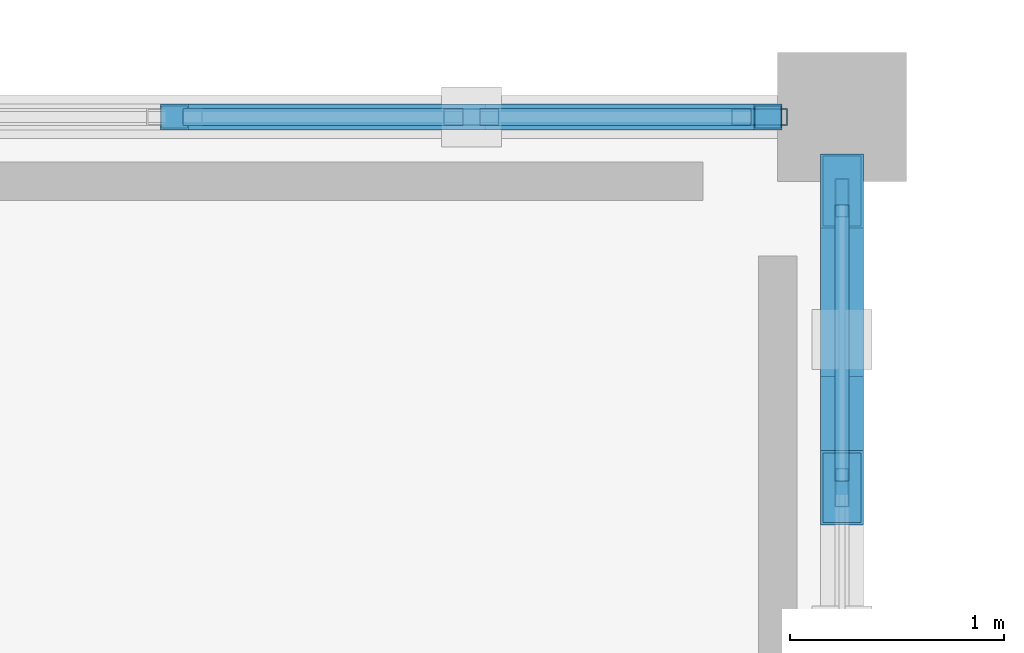
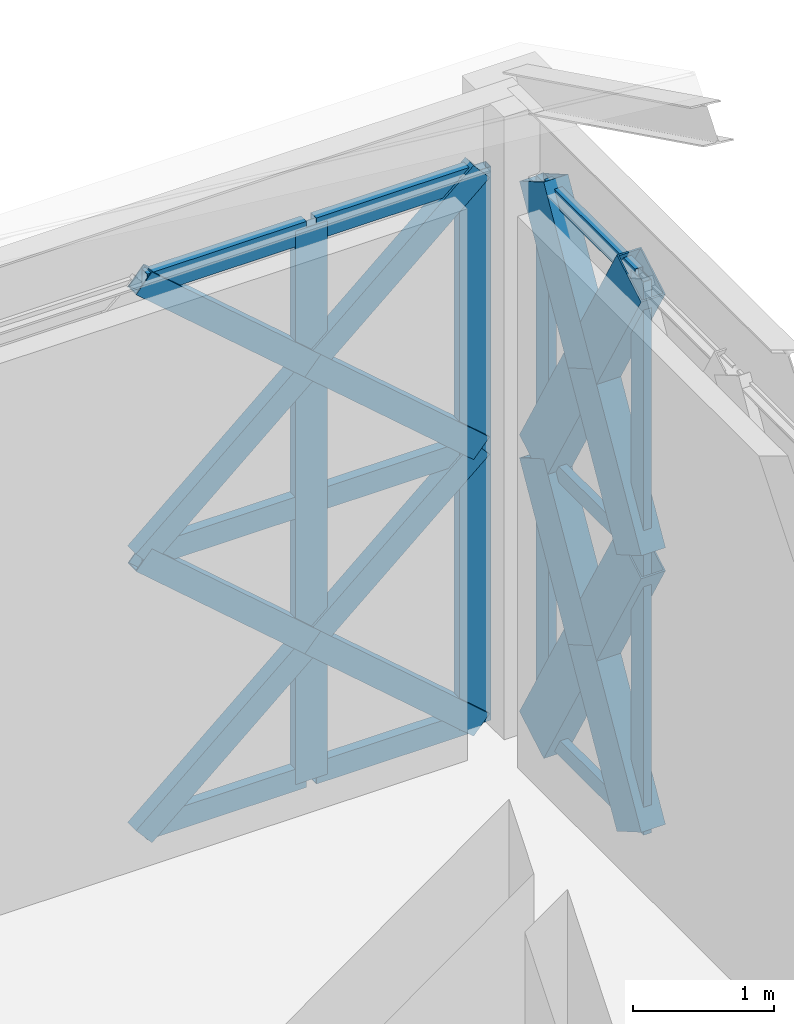
# One storey, part 20 of 32: 25 members, 2 elements without a shape of their own.
"""IFC4 building model written with IfcOpenShell, lengths in metres."""

from ifc_helpers import new_model, si_unit, direction, frame, origin, origin_2d, place, context, subcontext, project, spatial, hollow_rectangle, extrude, material, material_profile, profile_set, type_object, element, aggregate, save


model = new_model("IFC4")

# Units and contexts
model_context = context("Model", 3, precision=1e-05, world=origin(), true_north=direction((0.0, 1.0)))
body_context = subcontext(model_context, "Body", "Model", "MODEL_VIEW")
ifc_project = project(units=[si_unit("LENGTHUNIT", "METRE"), si_unit("AREAUNIT", "SQUARE_METRE"), si_unit("VOLUMEUNIT", "CUBIC_METRE"), si_unit("PLANEANGLEUNIT", "RADIAN"), si_unit("MASSUNIT", "GRAM", prefix="KILO")], contexts=[model_context])

# Site, building, storey
site_placement = place(None, origin())
site = spatial("IfcSite", under=ifc_project, at=site_placement, CompositionType="ELEMENT")
building_placement = place(site_placement, origin())
building = spatial("IfcBuilding", under=site, at=building_placement, Name="Haizhuo Lancet Aquarium", CompositionType="ELEMENT")
storey_placement = place(building_placement, frame((0.0, 0.0, 27.0)))
storey = spatial("IfcBuildingStorey", under=building, at=storey_placement, Name="L05", CompositionType="ELEMENT", Elevation=27.0)

# Curtain wall, members
ifc_material_1 = material(Name="Aluminium 6063-T6", Category="aluminium")
curtain_wall_type_1 = type_object("IfcCurtainWallType", Name="CWD-8310x4800", PredefinedType="NOTDEFINED", material=ifc_material_1)
curtain_wall_1_placement = place(storey_placement, origin())
curtain_wall_1 = element("IfcCurtainWall", 1, at=curtain_wall_1_placement, inside=storey, type_object=curtain_wall_type_1, Name="L05 curtain wall CW-V6-L05-265", PredefinedType="NOTDEFINED")
ifc_material_profile_1 = material_profile(ifc_material_1, hollow_rectangle(XDim=0.06494140625, YDim=0.179931640625, WallThickness=0.00390625, at=origin_2d()), Name="ALU-M 65x180x4")
ifc_profile_set_1 = profile_set([ifc_material_profile_1], Name="Aluminium 6063-T6")
member_type_1 = type_object("IfcMemberType", Name="CW-MUL-1", PredefinedType="MULLION", material=ifc_profile_set_1)
member_1_placement = place(storey_placement, frame((-36.0, -9.3779296875, 0.0), z_axis=(0.0, 0.0, 1.0), x_axis=(1.0, 0.0, 0.0)))
member_1 = element("IfcMember", 2, at=member_1_placement, type_object=member_type_1, Name="CWD-83x48 mullion 1", PredefinedType="MULLION", context=body_context, shape_type="SweptSolid", body=[
    extrude(hollow_rectangle(XDim=0.06494140625, YDim=0.179931640625, WallThickness=0.00390625, at=origin_2d()), origin(), (0.0, 0.0, 1.0), 4.800048828125),
])
member_2_placement = place(storey_placement, frame((-36.0, -10.72998046875, 0.0), z_axis=(0.0, 0.0, 1.0), x_axis=(1.0, 0.0, 0.0)))
member_2 = element("IfcMember", 3, at=member_2_placement, type_object=member_type_1, Name="CWD-83x48 mullion 2", PredefinedType="MULLION", context=body_context, shape_type="SweptSolid", body=[
    extrude(hollow_rectangle(XDim=0.06494140625, YDim=0.179931640625, WallThickness=0.00390625, at=origin_2d()), origin(), (0.0, 0.0, 1.0), 4.800048828125),
])

curtain_wall_type_2 = type_object("IfcCurtainWallType", Name="CWO-8310x4800", PredefinedType="NOTDEFINED", material=ifc_material_1)
curtain_wall_2_placement = place(storey_placement, origin())
curtain_wall_2 = element("IfcCurtainWall", 4, at=curtain_wall_2_placement, inside=storey, type_object=curtain_wall_type_2, Name="L05 curtain wall CW-V6-L05-264", PredefinedType="NOTDEFINED")
ifc_material_profile_2 = material_profile(ifc_material_1, hollow_rectangle(XDim=0.080078125, YDim=0.260009765625, WallThickness=0.0048828125, at=origin_2d()), Name="ALU-M 80x260x5")
ifc_profile_set_2 = profile_set([ifc_material_profile_2], Name="Aluminium 6063-T6")
member_type_2 = type_object("IfcMemberType", Name="CW-MUL-3", PredefinedType="MULLION", material=ifc_profile_set_2)
member_3_placement = place(storey_placement, frame((-37.72998046875, -9.0, 0.0), z_axis=(0.0, 0.0, 1.0), x_axis=(0.0, 1.0, 0.0)))
member_3 = element("IfcMember", 5, at=member_3_placement, type_object=member_type_2, Name="CWO-83x48 mullion 6", PredefinedType="MULLION", context=body_context, shape_type="SweptSolid", body=[
    extrude(hollow_rectangle(XDim=0.080078125, YDim=0.260009765625, WallThickness=0.0048828125, at=origin_2d()), origin(), (0.0, 0.0, 1.0), 4.800048828125),
])
member_4_placement = place(storey_placement, frame((-36.385009765625, -9.0, 0.0), z_axis=(0.0, 0.0, 1.0), x_axis=(0.0, 1.0, 0.0)))
member_4 = element("IfcMember", 6, at=member_4_placement, type_object=member_type_2, Name="CWO-83x48 mullion 7", PredefinedType="MULLION", context=body_context, shape_type="SweptSolid", body=[
    extrude(hollow_rectangle(XDim=0.080078125, YDim=0.260009765625, WallThickness=0.0048828125, at=origin_2d()), origin(), (0.0, 0.0, 1.0), 4.800048828125),
])

# Member
ifc_material_profile_3 = material_profile(ifc_material_1, hollow_rectangle(XDim=0.06494140625, YDim=0.139892578125, WallThickness=0.00390625, at=origin_2d()), Name="ALU-T 65x140x4")
ifc_profile_set_3 = profile_set([ifc_material_profile_3], Name="Aluminium 6063-T6")
member_type_3 = type_object("IfcMemberType", Name="CW-TRN-1", PredefinedType="NOTDEFINED", material=ifc_profile_set_3)
member_5_placement = place(storey_placement, frame((-36.0, -9.409912109375, 0.031982421875), z_axis=(0.0, -1.0, 0.0), x_axis=(1.0, 0.0, 0.0)))
member_5 = element("IfcMember", 7, at=member_5_placement, type_object=member_type_3, Name="CWD-83x48 transom 1.1", ObjectType="TRANSOM", PredefinedType="USERDEFINED", context=body_context, shape_type="SweptSolid", body=[
    extrude(hollow_rectangle(XDim=0.06494140625, YDim=0.139892578125, WallThickness=0.00390625, at=origin_2d()), origin(), (0.0, 0.0, 1.0), 1.2880859375),
])

member_6_placement = place(storey_placement, frame((-36.0, -9.409912109375, 2.39990234375), z_axis=(0.0, -1.0, 0.0), x_axis=(1.0, 0.0, 0.0)))
member_6 = element("IfcMember", 8, at=member_6_placement, type_object=member_type_3, Name="CWD-83x48 transom 1.2", ObjectType="TRANSOM", PredefinedType="USERDEFINED", context=body_context, shape_type="SweptSolid", body=[
    extrude(hollow_rectangle(XDim=0.06494140625, YDim=0.139892578125, WallThickness=0.00390625, at=origin_2d()), origin(), (0.0, 0.0, 1.0), 1.2880859375),
])

member_7_placement = place(storey_placement, frame((-36.0, -9.409912109375, 4.76806640625), z_axis=(0.0, -1.0, 0.0), x_axis=(1.0, 0.0, 0.0)))
member_7 = element("IfcMember", 9, at=member_7_placement, type_object=member_type_3, Name="CWD-83x48 transom 1.3", ObjectType="TRANSOM", PredefinedType="USERDEFINED", context=body_context, shape_type="SweptSolid", body=[
    extrude(hollow_rectangle(XDim=0.06494140625, YDim=0.139892578125, WallThickness=0.00390625, at=origin_2d()), origin(), (0.0, 0.0, 1.0), 1.2880859375),
])

aggregate(curtain_wall_1, [member_1, member_2, member_5, member_6, member_7])

ifc_material_profile_4 = material_profile(ifc_material_1, hollow_rectangle(XDim=0.080078125, YDim=0.18994140625, WallThickness=0.0048828125, at=origin_2d()), Name="ALU-T 80x190x5")
ifc_profile_set_4 = profile_set([ifc_material_profile_4], Name="Aluminium 6063-T6")
member_type_4 = type_object("IfcMemberType", Name="CW-TRN-3", PredefinedType="NOTDEFINED", material=ifc_profile_set_4)
member_8_placement = place(storey_placement, frame((-39.074951171875, -9.0, 0.0400390625), z_axis=(1.0, 0.0, 0.0), x_axis=(0.0, 1.0, 0.0)))
member_8 = element("IfcMember", 10, at=member_8_placement, type_object=member_type_4, Name="CWO-83x48 transom 5.1", ObjectType="TRANSOM", PredefinedType="USERDEFINED", context=body_context, shape_type="SweptSolid", body=[
    extrude(hollow_rectangle(XDim=0.080078125, YDim=0.18994140625, WallThickness=0.0048828125, at=origin_2d()), origin(), (0.0, 0.0, 1.0), 1.304931640625),
])

member_9_placement = place(storey_placement, frame((-39.074951171875, -9.0, 2.39990234375), z_axis=(1.0, 0.0, 0.0), x_axis=(0.0, 1.0, 0.0)))
member_9 = element("IfcMember", 11, at=member_9_placement, type_object=member_type_4, Name="CWO-83x48 transom 5.2", ObjectType="TRANSOM", PredefinedType="USERDEFINED", context=body_context, shape_type="SweptSolid", body=[
    extrude(hollow_rectangle(XDim=0.080078125, YDim=0.18994140625, WallThickness=0.0048828125, at=origin_2d()), origin(), (0.0, 0.0, 1.0), 1.304931640625),
])

member_10_placement = place(storey_placement, frame((-39.074951171875, -9.0, 4.760009765625), z_axis=(1.0, 0.0, 0.0), x_axis=(0.0, 1.0, 0.0)))
member_10 = element("IfcMember", 12, at=member_10_placement, type_object=member_type_4, Name="CWO-83x48 transom 5.3", ObjectType="TRANSOM", PredefinedType="USERDEFINED", context=body_context, shape_type="SweptSolid", body=[
    extrude(hollow_rectangle(XDim=0.080078125, YDim=0.18994140625, WallThickness=0.0048828125, at=origin_2d()), origin(), (0.0, 0.0, 1.0), 1.304931640625),
])

member_11_placement = place(storey_placement, frame((-37.68994140625, -9.0, 0.0400390625), z_axis=(1.0, 0.0, 0.0), x_axis=(0.0, 1.0, 0.0)))
member_11 = element("IfcMember", 13, at=member_11_placement, type_object=member_type_4, Name="CWO-83x48 transom 6.1", ObjectType="TRANSOM", PredefinedType="USERDEFINED", context=body_context, shape_type="SweptSolid", body=[
    extrude(hollow_rectangle(XDim=0.080078125, YDim=0.18994140625, WallThickness=0.0048828125, at=origin_2d()), origin(), (0.0, 0.0, 1.0), 1.264892578125),
])

member_12_placement = place(storey_placement, frame((-37.68994140625, -9.0, 2.39990234375), z_axis=(1.0, 0.0, 0.0), x_axis=(0.0, 1.0, 0.0)))
member_12 = element("IfcMember", 14, at=member_12_placement, type_object=member_type_4, Name="CWO-83x48 transom 6.2", ObjectType="TRANSOM", PredefinedType="USERDEFINED", context=body_context, shape_type="SweptSolid", body=[
    extrude(hollow_rectangle(XDim=0.080078125, YDim=0.18994140625, WallThickness=0.0048828125, at=origin_2d()), origin(), (0.0, 0.0, 1.0), 1.264892578125),
])

member_13_placement = place(storey_placement, frame((-37.68994140625, -9.0, 4.760009765625), z_axis=(1.0, 0.0, 0.0), x_axis=(0.0, 1.0, 0.0)))
member_13 = element("IfcMember", 15, at=member_13_placement, type_object=member_type_4, Name="CWO-83x48 transom 6.3", ObjectType="TRANSOM", PredefinedType="USERDEFINED", context=body_context, shape_type="SweptSolid", body=[
    extrude(hollow_rectangle(XDim=0.080078125, YDim=0.18994140625, WallThickness=0.0048828125, at=origin_2d()), origin(), (0.0, 0.0, 1.0), 1.264892578125),
])

aggregate(curtain_wall_2, [member_3, member_4, member_8, member_9, member_10, member_11, member_12, member_13])

# Members
ifc_material_2 = material(Name="Steel S355", Category="steel")
ifc_material_profile_5 = material_profile(ifc_material_2, hollow_rectangle(XDim=0.1201171875, YDim=0.199951171875, WallThickness=0.008056640625, at=origin_2d()), Name="RHS 120x200x8")
ifc_profile_set_5 = profile_set([ifc_material_profile_5], Name="Steel S355")
member_type_5 = type_object("IfcMemberType", Name="MEM-LB-RHS120x200", PredefinedType="BRACE", material=ifc_profile_set_5)
member_14_placement = place(storey_placement, frame((-39.114990234375, -9.0, 0.0), z_axis=(0.755794572232, 0.0, 0.654808800021), x_axis=(0.0, 1.0, 0.0)))
element("IfcMember", 16, at=member_14_placement, inside=storey, type_object=member_type_5, Name="Gothic lancet continuous diagonal brace CW-V6-L05-264 5A", PredefinedType="BRACE", context=body_context, shape_type="SweptSolid", body=[
    extrude(hollow_rectangle(XDim=0.1201171875, YDim=0.199951171875, WallThickness=0.008056640625, at=origin_2d()), origin(), (0.0, 0.0, 1.0), 3.6650390625),
])
for number, where, z_axis, x_axis, name in (
    (17, (-36.344970703125, -9.0, 0.0), (-0.755794572232, 0.0, 0.654808800021), (0.0, -1.0, 0.0), "Gothic lancet split diagonal brace CW-V6-L05-264 5B1"),
    (18, (-37.72998046875, -9.0, 1.199951171875), (-0.755794572232, 0.0, 0.654808800021), (0.0, -1.0, 0.0), "Gothic lancet split diagonal brace CW-V6-L05-264 5B2"),
):
    element("IfcMember", number, at=place(storey_placement, frame(where, z_axis=z_axis, x_axis=x_axis)), inside=storey, type_object=member_type_5, Name=name, PredefinedType="BRACE", context=body_context, shape_type="SweptSolid", body=[
        extrude(hollow_rectangle(XDim=0.1201171875, YDim=0.199951171875, WallThickness=0.008056640625, at=origin_2d()), origin(), (0.0, 0.0, 1.0), 1.83251953125),
    ])
member_15_placement = place(storey_placement, frame((-39.114990234375, -9.0, 2.39990234375), z_axis=(0.755761605724, 0.0, 0.654846848746), x_axis=(0.0, 1.0, 0.0)))
element("IfcMember", 19, at=member_15_placement, inside=storey, type_object=member_type_5, Name="Gothic lancet continuous diagonal brace CW-V6-L05-264 6A", PredefinedType="BRACE", context=body_context, shape_type="SweptSolid", body=[
    extrude(hollow_rectangle(XDim=0.1201171875, YDim=0.199951171875, WallThickness=0.008056640625, at=origin_2d()), origin(), (0.0, 0.0, 1.0), 3.665283203125),
])
member_16_placement = place(storey_placement, frame((-36.344970703125, -9.0, 2.39990234375), z_axis=(-0.755728640177, 0.0, 0.654884892493), x_axis=(0.0, -1.0, 0.0)))
element("IfcMember", 20, at=member_16_placement, inside=storey, type_object=member_type_5, Name="Gothic lancet split diagonal brace CW-V6-L05-264 6B1", PredefinedType="BRACE", context=body_context, shape_type="SweptSolid", body=[
    extrude(hollow_rectangle(XDim=0.1201171875, YDim=0.199951171875, WallThickness=0.008056640625, at=origin_2d()), origin(), (0.0, 0.0, 1.0), 1.832763671875),
])
member_17_placement = place(storey_placement, frame((-37.72998046875, -9.0, 3.60009765625), z_axis=(-0.755794572232, 0.0, 0.654808800021), x_axis=(0.0, -1.0, 0.0)))
element("IfcMember", 21, at=member_17_placement, inside=storey, type_object=member_type_5, Name="Gothic lancet split diagonal brace CW-V6-L05-264 6B2", PredefinedType="BRACE", context=body_context, shape_type="SweptSolid", body=[
    extrude(hollow_rectangle(XDim=0.1201171875, YDim=0.199951171875, WallThickness=0.008056640625, at=origin_2d()), origin(), (0.0, 0.0, 1.0), 1.83251953125),
])
ifc_material_profile_6 = material_profile(ifc_material_2, hollow_rectangle(XDim=0.199951171875, YDim=0.39990234375, WallThickness=0.011962890625, at=origin_2d()), Name="RHS 200x400x12")
ifc_profile_set_6 = profile_set([ifc_material_profile_6], Name="Steel S355")
member_type_6 = type_object("IfcMemberType", Name="MEM-LB-RHS200x400", PredefinedType="BRACE", material=ifc_profile_set_6)
member_18_placement = place(storey_placement, frame((-36.0, -9.344970703125, 0.0), z_axis=(0.0, -0.499844491261, 0.866115168182), x_axis=(1.0, 0.0, 0.0)))
element("IfcMember", 22, at=member_18_placement, inside=storey, type_object=member_type_6, Name="Gothic lancet continuous diagonal brace CW-V6-L05-265 1A", PredefinedType="BRACE", context=body_context, shape_type="SweptSolid", body=[
    extrude(hollow_rectangle(XDim=0.199951171875, YDim=0.39990234375, WallThickness=0.011962890625, at=origin_2d()), origin(), (0.0, 0.0, 1.0), 2.77099609375),
])
member_19_placement = place(storey_placement, frame((-36.0, -10.72998046875, 0.0), z_axis=(0.0, 0.499513903435, 0.86630586993), x_axis=(-1.0, 0.0, 0.0)))
element("IfcMember", 23, at=member_19_placement, inside=storey, type_object=member_type_6, Name="Gothic lancet split diagonal brace CW-V6-L05-265 1B1", PredefinedType="BRACE", context=body_context, shape_type="SweptSolid", body=[
    extrude(hollow_rectangle(XDim=0.199951171875, YDim=0.39990234375, WallThickness=0.011962890625, at=origin_2d()), origin(), (0.0, 0.0, 1.0), 1.38525390625),
])
member_20_placement = place(storey_placement, frame((-36.0, -10.0380859375, 1.199951171875), z_axis=(0.0, 0.500174860769, 0.865924424332), x_axis=(-1.0, 0.0, 0.0)))
element("IfcMember", 24, at=member_20_placement, inside=storey, type_object=member_type_6, Name="Gothic lancet split diagonal brace CW-V6-L05-265 1B2", PredefinedType="BRACE", context=body_context, shape_type="SweptSolid", body=[
    extrude(hollow_rectangle(XDim=0.199951171875, YDim=0.39990234375, WallThickness=0.011962890625, at=origin_2d()), origin(), (0.0, 0.0, 1.0), 1.3857421875),
])
member_21_placement = place(storey_placement, frame((-36.0, -9.344970703125, 2.39990234375), z_axis=(0.0, -0.499806349121, 0.866137179307), x_axis=(1.0, 0.0, 0.0)))
element("IfcMember", 25, at=member_21_placement, inside=storey, type_object=member_type_6, Name="Gothic lancet continuous diagonal brace CW-V6-L05-265 2A", PredefinedType="BRACE", context=body_context, shape_type="SweptSolid", body=[
    extrude(hollow_rectangle(XDim=0.199951171875, YDim=0.39990234375, WallThickness=0.011962890625, at=origin_2d()), origin(), (0.0, 0.0, 1.0), 2.77099609375),
])
member_22_placement = place(storey_placement, frame((-36.0, -10.72998046875, 2.39990234375), z_axis=(0.0, 0.499437640892, 0.866349838611), x_axis=(-1.0, 0.0, 0.0)))
element("IfcMember", 26, at=member_22_placement, inside=storey, type_object=member_type_6, Name="Gothic lancet split diagonal brace CW-V6-L05-265 2B1", PredefinedType="BRACE", context=body_context, shape_type="SweptSolid", body=[
    extrude(hollow_rectangle(XDim=0.199951171875, YDim=0.39990234375, WallThickness=0.011962890625, at=origin_2d()), origin(), (0.0, 0.0, 1.0), 1.38525390625),
])
member_23_placement = place(storey_placement, frame((-36.0, -10.0380859375, 3.60009765625), z_axis=(0.0, 0.500174860769, 0.865924424332), x_axis=(-1.0, 0.0, 0.0)))
element("IfcMember", 27, at=member_23_placement, inside=storey, type_object=member_type_6, Name="Gothic lancet split diagonal brace CW-V6-L05-265 2B2", PredefinedType="BRACE", context=body_context, shape_type="SweptSolid", body=[
    extrude(hollow_rectangle(XDim=0.199951171875, YDim=0.39990234375, WallThickness=0.011962890625, at=origin_2d()), origin(), (0.0, 0.0, 1.0), 1.3857421875),
])

save(model, "model.ifc")
